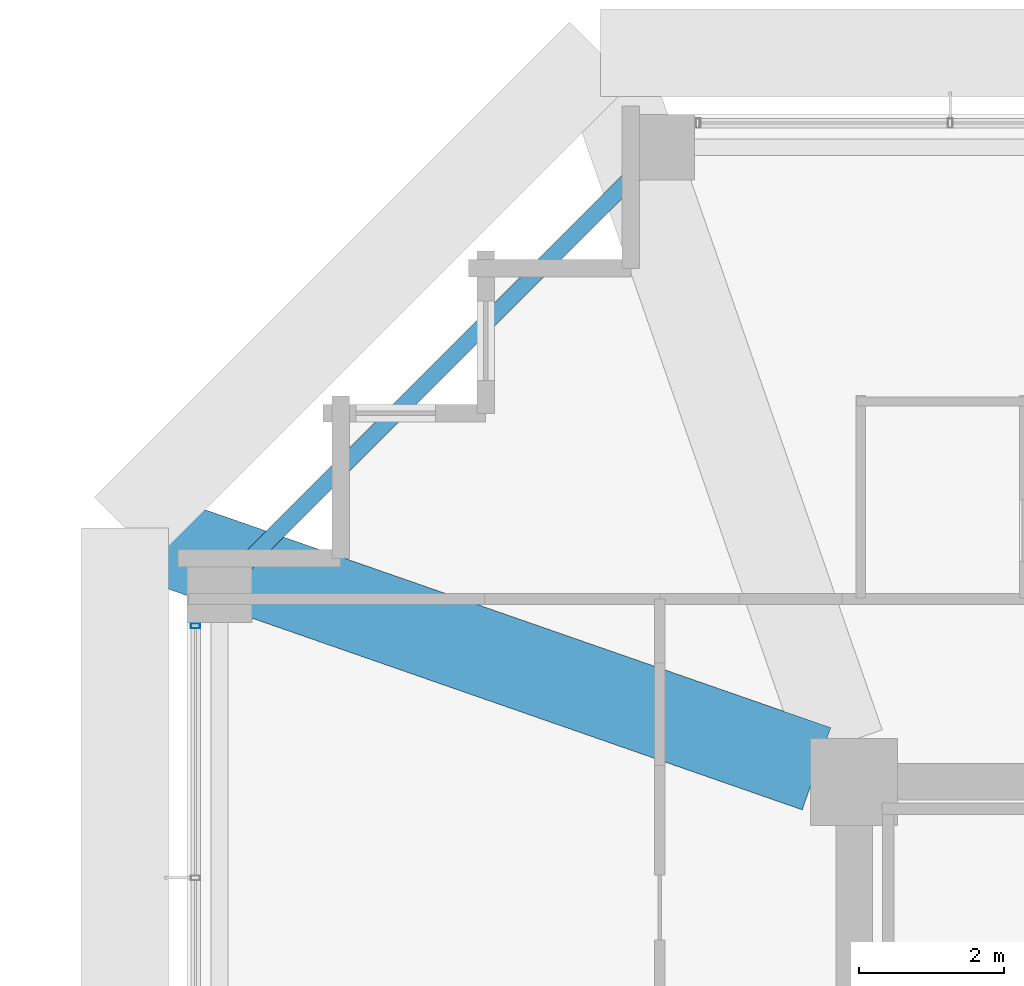
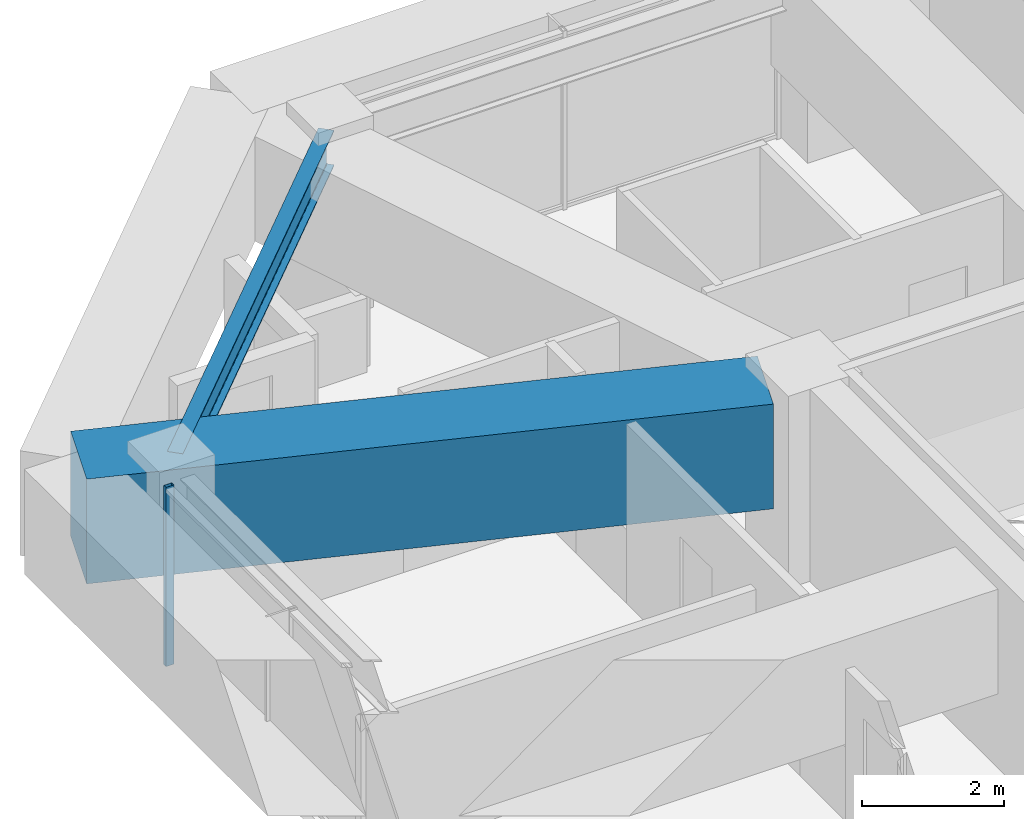
# One storey, part 21 of 40: 2 beams, 1 member, 1 element without a shape of its own.
"""IFC4 building model written with IfcOpenShell, lengths in metres."""

from ifc_helpers import new_model, si_unit, direction, frame, origin, origin_2d, place, context, subcontext, project, spatial, rectangle, hollow_rectangle, i_section, extrude, material, material_profile, profile_set, type_object, element, aggregate, save


model = new_model("IFC4")

# Units and contexts
model_context = context("Model", 3, precision=1e-05, world=origin(), true_north=direction((0.0, 1.0)))
body_context = subcontext(model_context, "Body", "Model", "MODEL_VIEW")
ifc_project = project(units=[si_unit("LENGTHUNIT", "METRE"), si_unit("AREAUNIT", "SQUARE_METRE"), si_unit("VOLUMEUNIT", "CUBIC_METRE"), si_unit("PLANEANGLEUNIT", "RADIAN"), si_unit("MASSUNIT", "GRAM", prefix="KILO")], contexts=[model_context])

# Site, building, storey
site_placement = place(None, origin())
site = spatial("IfcSite", under=ifc_project, at=site_placement, CompositionType="ELEMENT")
building_placement = place(site_placement, origin())
building = spatial("IfcBuilding", under=site, at=building_placement, Name="Kolvaren Belvedere", CompositionType="ELEMENT")
storey_placement = place(building_placement, frame((0.0, 0.0, 170.10009765625)))
storey = spatial("IfcBuildingStorey", under=building, at=storey_placement, Name="L49", CompositionType="ELEMENT", Elevation=170.10009765625)

# Beams
ifc_material_1 = material(Name="Structural steel ASTM A992 Grade 50", Category="steel")
ifc_material_profile_1 = material_profile(ifc_material_1, i_section(OverallWidth=0.22900390625, OverallDepth=0.612060546875, WebThickness=0.011962890625, FlangeThickness=0.01953125, FilletRadius=0.01806640625, at=origin_2d()), Name="W24X84")
ifc_profile_set_1 = profile_set([ifc_material_profile_1], Name="Structural steel ASTM A992 Grade 50")
beam_type_1 = type_object("IfcBeamType", Name="BM-SPAN-W24X84", PredefinedType="SPANDREL", material=ifc_profile_set_1)
beam_1_placement = place(storey_placement, frame((-12.693115234375, 18.5068359375, 2.77392578125), z_axis=(-0.707106781187, -0.707106781187, 0.0), x_axis=(0.707106781187, -0.707106781187, 0.0)))
element("IfcBeam", 1, at=beam_1_placement, inside=storey, type_object=beam_type_1, Name="L49 Perimeter Spandrel N1-W4", PredefinedType="SPANDREL", context=body_context, shape_type="SweptSolid", body=[
    extrude(i_section(OverallWidth=0.22900390625, OverallDepth=0.612060546875, WebThickness=0.011962890625, FlangeThickness=0.01953125, FilletRadius=0.01806640625, at=origin_2d()), origin(), (0.0, 0.0, 1.0), 8.221923828125),
])
ifc_material_2 = material(Name="Concrete C50/60", Category="concrete")
ifc_material_profile_2 = material_profile(ifc_material_2, rectangle(XDim=1.199951171875, YDim=1.800048828125, at=origin_2d()), Name="RC 1200X1800")
ifc_profile_set_2 = profile_set([ifc_material_profile_2], Name="Concrete C50/60")
beam_type_2 = type_object("IfcBeamType", Name="BM-TG-1800", PredefinedType="BEAM", material=ifc_profile_set_2)
beam_2_placement = place(storey_placement, frame((-10.41943359375, 10.080810546875, 2.179931640625), z_axis=(-0.944363863132, 0.328902560054, 0.0), x_axis=(-0.328902560054, -0.944363863132, 0.0)))
element("IfcBeam", 2, at=beam_2_placement, inside=storey, type_object=beam_type_2, Name="L49 Corner Core-to-Perimeter Girder CC4-W4", PredefinedType="BEAM", context=body_context, shape_type="SweptSolid", body=[
    extrude(rectangle(XDim=1.199951171875, YDim=1.800048828125, at=origin_2d()), origin(), (0.0, 0.0, 1.0), 9.842041015625),
])

# Curtain wall, member
ifc_material_3 = material(Name="Anodised pale-metal aluminium AA 6063-T6", Category="aluminium")
curtain_wall_type = type_object("IfcCurtainWallType", Name="CW-Z3-WAIST", PredefinedType="NOTDEFINED", material=ifc_material_3)
curtain_wall_placement = place(storey_placement, origin())
curtain_wall = element("IfcCurtainWall", 3, at=curtain_wall_placement, inside=storey, type_object=curtain_wall_type, Name="L49 Unitised Curtain Wall FCW-L49-W-B3", PredefinedType="NOTDEFINED")
ifc_material_4 = material(Name="Anodised pale-metal aluminium AA 6063-T6", Category="aluminium")
ifc_material_profile_3 = material_profile(ifc_material_4, hollow_rectangle(XDim=0.06494140625, YDim=0.1298828125, WallThickness=0.00390625, at=origin_2d()), Name="ALU-MUL-130X65")
ifc_profile_set_3 = profile_set([ifc_material_profile_3], Name="Anodised pale-metal aluminium AA 6063-T6")
member_type = type_object("IfcMemberType", Name="CW-MUL-130", PredefinedType="MULLION", material=ifc_profile_set_3)
member_placement = place(storey_placement, frame((-18.97998046875, 12.047607421875, 0.0), z_axis=(0.0, 0.0, 1.0), x_axis=(0.0, 1.0, 0.0)))
member = element("IfcMember", 4, at=member_placement, type_object=member_type, Name="FCW-L49-W-B3 Unitised Mullion 3", PredefinedType="MULLION", context=body_context, shape_type="SweptSolid", body=[
    extrude(hollow_rectangle(XDim=0.06494140625, YDim=0.1298828125, WallThickness=0.00390625, at=origin_2d()), origin(), (0.0, 0.0, 1.0), 3.079833984375),
])
aggregate(curtain_wall, [member])

save(model, "model.ifc")
